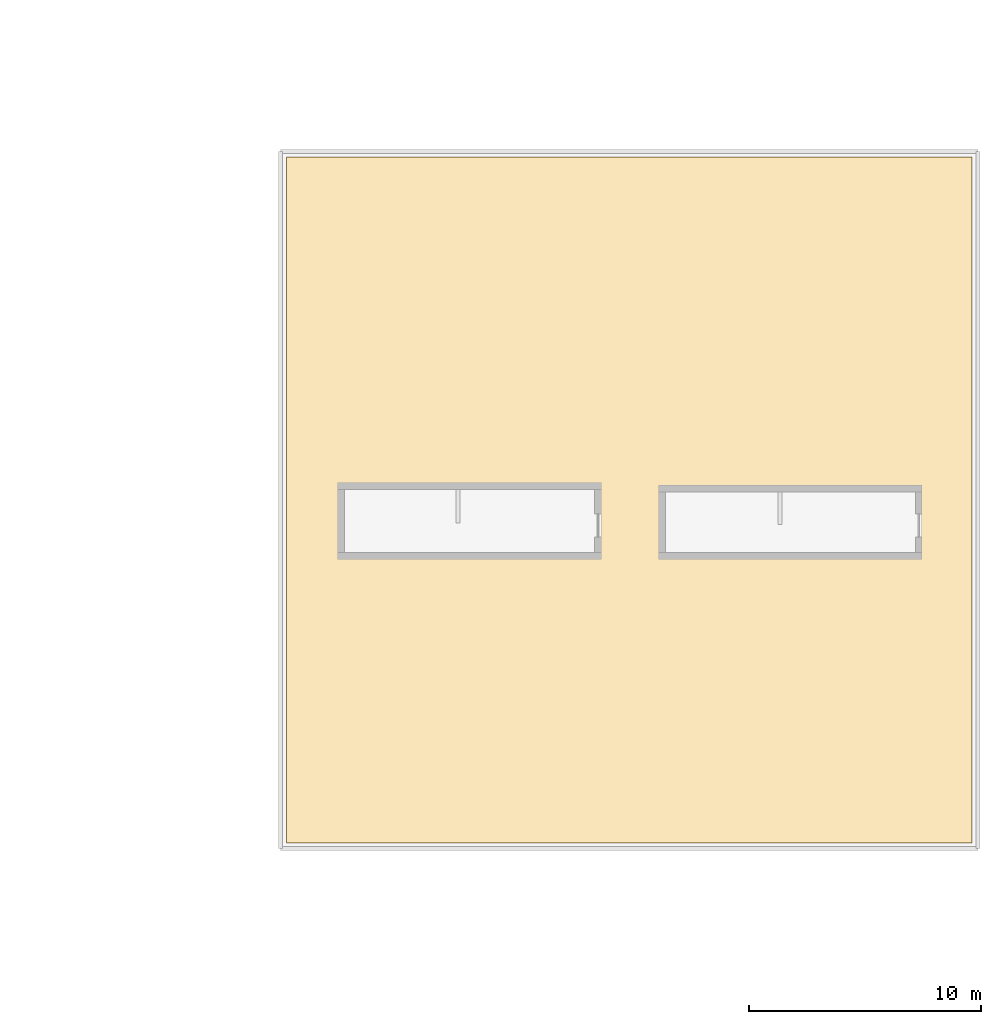
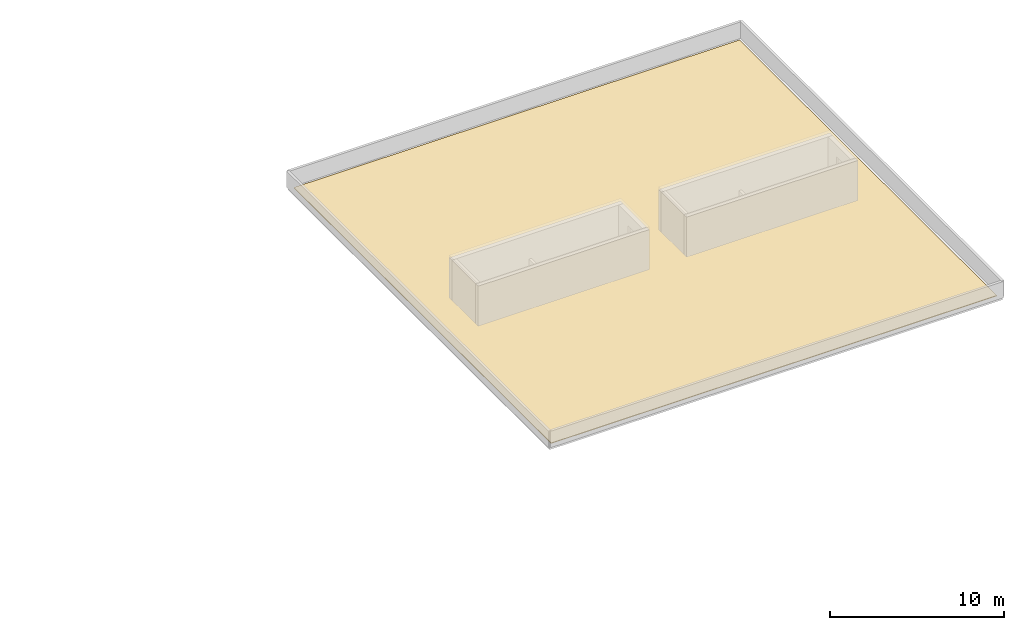
# One storey, part 23 of 23: 1 covering, 1 element without a shape of its own.
"""IFC4 building model written with IfcOpenShell, lengths in metres."""

from ifc_helpers import new_model, si_unit, direction, frame, origin, place, context, subcontext, project, spatial, polyline, outline, extrude, material, layer, layer_set, type_object, element, aggregate, save


model = new_model("IFC4")

# Units and contexts
model_context = context("Model", 3, precision=1e-05, world=origin(), true_north=direction((0.0, 1.0)))
body_context = subcontext(model_context, "Body", "Model", "MODEL_VIEW")
ifc_project = project(units=[si_unit("LENGTHUNIT", "METRE"), si_unit("AREAUNIT", "SQUARE_METRE"), si_unit("VOLUMEUNIT", "CUBIC_METRE"), si_unit("PLANEANGLEUNIT", "RADIAN"), si_unit("MASSUNIT", "GRAM", prefix="KILO"), si_unit("POWERUNIT", "WATT"), si_unit("THERMODYNAMICTEMPERATUREUNIT", "KELVIN")], contexts=[model_context])

# Site, building, storey
site_placement = place(None, origin())
site = spatial("IfcSite", under=ifc_project, at=site_placement, CompositionType="ELEMENT")
building_placement = place(site_placement, origin())
building = spatial("IfcBuilding", under=site, at=building_placement, Name="Ruvembo Vaulted Housing Court", CompositionType="ELEMENT")
storey_placement = place(building_placement, frame((0.0, 0.0, 26.89990234375)))
storey = spatial("IfcBuildingStorey", under=building, at=storey_placement, Name="L08", CompositionType="ELEMENT", Elevation=26.89990234375)

# Roof, covering
ifc_material_1 = material(Name="Concrete C30/37", Category="concrete")
ifc_layer_1 = layer(ifc_material_1, 0.18505859375, Name="Concrete C30/37")
ifc_layer_set_1 = layer_set([ifc_layer_1], Name="Concrete C30/37")
roof_type = type_object("IfcRoofType", Name="ROOF-FLAT-D", PredefinedType="FLAT_ROOF", material=ifc_layer_set_1)
roof_placement = place(storey_placement, origin())
roof = element("IfcRoof", 1, at=roof_placement, inside=storey, type_object=roof_type, Name="Block D Flat Roof Assembly", PredefinedType="FLAT_ROOF")
ifc_material_2 = material(Name="TPO Waterproofing and Terracotta Tile", Category="masonry")
ifc_layer_2 = layer(ifc_material_2, 0.044921875, Name="TPO Waterproofing and Terracotta Tile")
ifc_layer_set_2 = layer_set([ifc_layer_2], Name="TPO Waterproofing and Terracotta Tile")
covering_type = type_object("IfcCoveringType", Name="COV-ROOF-MEMB", PredefinedType="ROOFING", material=ifc_layer_set_2)
covering_placement = place(storey_placement, origin())
covering = element("IfcCovering", 2, at=covering_placement, type_object=covering_type, Name="Block D L08 Insulated Roof Waterproofing", PredefinedType="ROOFING", context=body_context, shape_type="SweptSolid", body=[
    extrude(outline(polyline([(156.25, 72.25), (185.75, 72.25), (185.75, 101.75), (156.25, 101.75), (156.25, 72.25)])), origin(), (0.0, 0.0, 1.0), 0.045166015625),
])
aggregate(roof, [covering])

save(model, "model.ifc")
